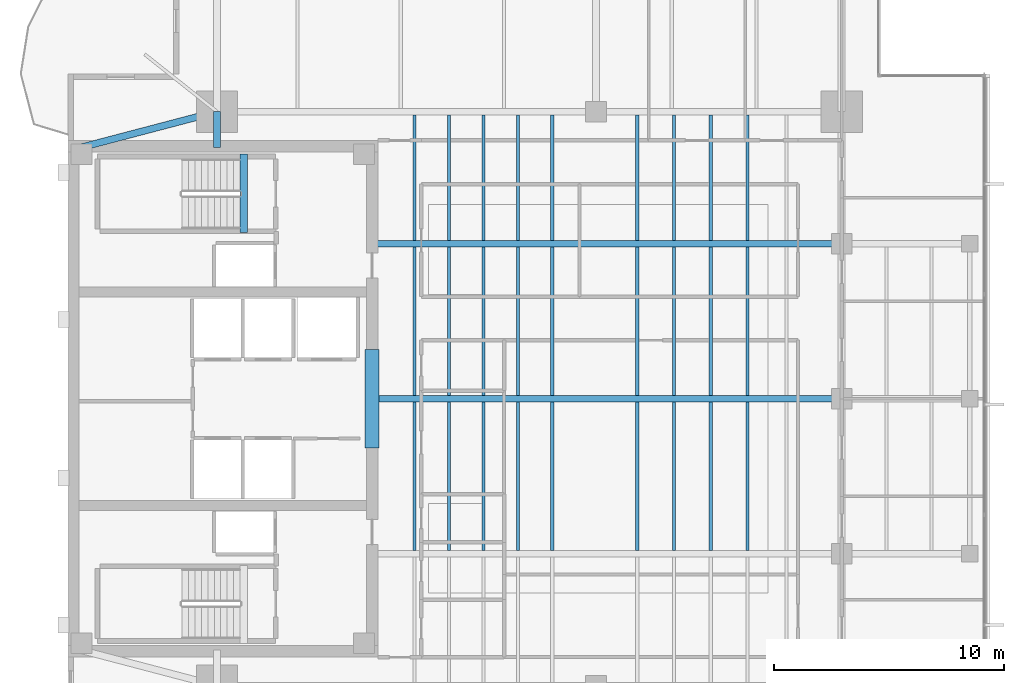
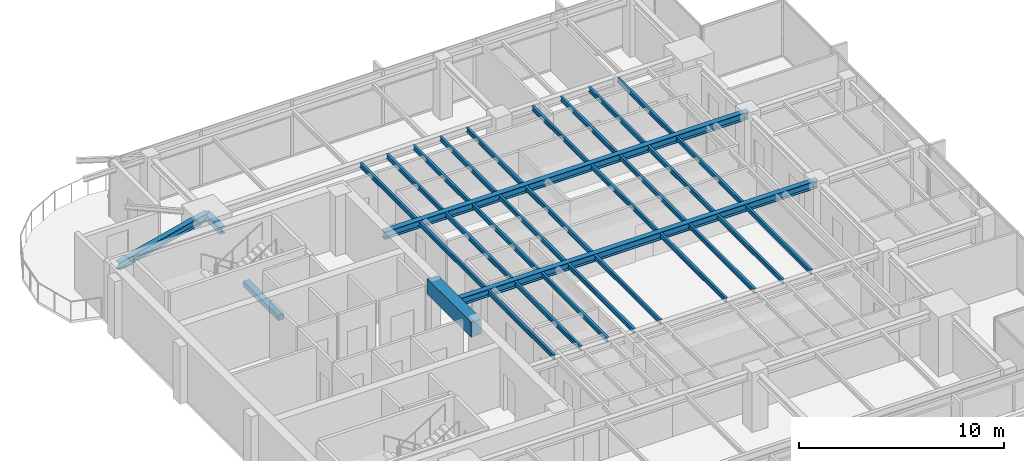
# One storey, part 3 of 14: 33 beams.
"""IFC4 building model written with IfcOpenShell, lengths in metres."""

from ifc_helpers import new_model, si_unit, direction, frame, origin, origin_2d, place, context, subcontext, project, spatial, rectangle, i_section, extrude, material, material_profile, profile_set, type_object, element, save


model = new_model("IFC4")

# Units and contexts
model_context = context("Model", 3, precision=1e-05, world=origin(), true_north=direction((0.0, 1.0)))
body_context = subcontext(model_context, "Body", "Model", "MODEL_VIEW")
ifc_project = project(units=[si_unit("LENGTHUNIT", "METRE"), si_unit("AREAUNIT", "SQUARE_METRE"), si_unit("VOLUMEUNIT", "CUBIC_METRE"), si_unit("PLANEANGLEUNIT", "RADIAN"), si_unit("MASSUNIT", "GRAM", prefix="KILO")], contexts=[model_context])

# Site, building, storey
site_placement = place(None, origin())
site = spatial("IfcSite", under=ifc_project, at=site_placement, CompositionType="ELEMENT")
building_placement = place(site_placement, origin())
building = spatial("IfcBuilding", under=site, at=building_placement, Name="Kinhvarn Gate Tower", CompositionType="ELEMENT")
storey_placement = place(building_placement, frame((0.0, 0.0, 281.199951171875)))
storey = spatial("IfcBuildingStorey", under=building, at=storey_placement, Name="L75", CompositionType="ELEMENT", Elevation=281.199951171875)

# Beams
ifc_material_1 = material(Name="Concrete C60/75", Category="concrete")
ifc_material_profile_1 = material_profile(ifc_material_1, rectangle(XDim=0.60009765625, YDim=0.89990234375, at=origin_2d()), Name="RC 600x900")
ifc_profile_set_1 = profile_set([ifc_material_profile_1], Name="Concrete C60/75")
beam_type_1 = type_object("IfcBeamType", Name="BM-CB-900", PredefinedType="LINTEL", material=ifc_profile_set_1)
beam_1_placement = place(storey_placement, frame((17.75, 23.10009765625, 2.93994140625), z_axis=(0.0, 1.0, 0.0), x_axis=(-1.0, 0.0, 0.0)))
element("IfcBeam", 1, at=beam_1_placement, inside=storey, type_object=beam_type_1, Name="Core East Portal Coupling Beam L75", PredefinedType="LINTEL", context=body_context, shape_type="SweptSolid", body=[
    extrude(rectangle(XDim=0.60009765625, YDim=0.89990234375, at=origin_2d()), origin(), (0.0, 0.0, 1.0), 4.2998046875),
])
ifc_material_2 = material(Name="Concrete C50/60", Category="concrete")
ifc_material_profile_2 = material_profile(ifc_material_2, rectangle(XDim=0.340087890625, YDim=0.320068359375, at=origin_2d()), Name="RC 340x320")
ifc_profile_set_2 = profile_set([ifc_material_profile_2], Name="Concrete C50/60")
beam_type_2 = type_object("IfcBeamType", Name="BM-LND-500", PredefinedType="BEAM", material=ifc_profile_set_2)
beam_2_placement = place(storey_placement, frame((12.1650390625, 32.5, -0.159912109375), z_axis=(0.0, 1.0, 0.0), x_axis=(-1.0, 0.0, 0.0)))
element("IfcBeam", 2, at=beam_2_placement, inside=storey, type_object=beam_type_2, Name="Stair ST2 Landing Nosing Beam (L75)", PredefinedType="BEAM", context=body_context, shape_type="SweptSolid", body=[
    extrude(rectangle(XDim=0.340087890625, YDim=0.320068359375, at=origin_2d()), origin(), (0.0, 0.0, 1.0), 3.39990234375),
])
ifc_material_3 = material(Name="Steel S355", Category="steel")
ifc_material_profile_3 = material_profile(ifc_material_3, i_section(OverallWidth=0.300048828125, OverallDepth=0.39990234375, WebThickness=0.013427734375, FlangeThickness=0.02392578125, at=origin_2d()), Name="HEB 400")
ifc_profile_set_3 = profile_set([ifc_material_profile_3], Name="Steel S355")
beam_type_3 = type_object("IfcBeamType", Name="STL-HEB400", PredefinedType="BEAM", material=ifc_profile_set_3)
beam_3_placement = place(storey_placement, frame((11.0, 36.199951171875, 3.18994140625), z_axis=(0.0, 1.0, 0.0), x_axis=(-1.0, 0.0, 0.0)))
element("IfcBeam", 3, at=beam_3_placement, inside=storey, type_object=beam_type_3, Name="Floor Beam PG-12 (L75 MCW-CN)", PredefinedType="BEAM", context=body_context, shape_type="SweptSolid", body=[
    extrude(i_section(OverallWidth=0.300048828125, OverallDepth=0.39990234375, WebThickness=0.013427734375, FlangeThickness=0.02392578125, at=origin_2d()), origin(), (0.0, 0.0, 1.0), 1.550048828125),
])
ifc_material_profile_4 = material_profile(ifc_material_3, i_section(OverallWidth=0.300048828125, OverallDepth=0.449951171875, WebThickness=0.013916015625, FlangeThickness=0.02587890625, at=origin_2d()), Name="HEB 450")
ifc_profile_set_4 = profile_set([ifc_material_profile_4], Name="Steel S355")
beam_type_4 = type_object("IfcBeamType", Name="STL-HEB450", PredefinedType="BEAM", material=ifc_profile_set_4)
beam_4_placement = place(storey_placement, frame((5.10009765625, 36.199951171875, 3.1650390625), z_axis=(0.967177623957, 0.254101246979, 0.0), x_axis=(-0.254101246979, 0.967177623957, 0.0)))
element("IfcBeam", 4, at=beam_4_placement, inside=storey, type_object=beam_type_4, Name="Floor Beam PG-13 (L75 MG-NW-DIAG)", PredefinedType="BEAM", context=body_context, shape_type="SweptSolid", body=[
    extrude(i_section(OverallWidth=0.300048828125, OverallDepth=0.449951171875, WebThickness=0.013916015625, FlangeThickness=0.02587890625, at=origin_2d()), origin(), (0.0, 0.0, 1.0), 6.10009765625),
])
beam_5_placement = place(storey_placement, frame((18.050048828125, 25.25, 3.1650390625), z_axis=(1.0, 0.0, 0.0), x_axis=(0.0, 1.0, 0.0)))
element("IfcBeam", 5, at=beam_5_placement, inside=storey, type_object=beam_type_4, Name="Floor Beam PG-13 (L75 EW1-Y25)", PredefinedType="BEAM", context=body_context, shape_type="SweptSolid", body=[
    extrude(i_section(OverallWidth=0.300048828125, OverallDepth=0.449951171875, WebThickness=0.013916015625, FlangeThickness=0.02587890625, at=origin_2d()), origin(), (0.0, 0.0, 1.0), 20.14990234375),
])
beam_6_placement = place(storey_placement, frame((17.64990234375, 32.0, 3.1650390625), z_axis=(1.0, 0.0, 0.0), x_axis=(0.0, 1.0, 0.0)))
element("IfcBeam", 6, at=beam_6_placement, inside=storey, type_object=beam_type_4, Name="Floor Beam PG-13 (L75 EW1-Y32)", PredefinedType="BEAM", context=body_context, shape_type="SweptSolid", body=[
    extrude(i_section(OverallWidth=0.300048828125, OverallDepth=0.449951171875, WebThickness=0.013916015625, FlangeThickness=0.02587890625, at=origin_2d()), origin(), (0.0, 0.0, 1.0), 20.550048828125),
])
ifc_material_profile_5 = material_profile(ifc_material_3, i_section(OverallWidth=0.135009765625, OverallDepth=0.27001953125, WebThickness=0.006591796875, FlangeThickness=0.01025390625, at=origin_2d()), Name="IPE 270")
ifc_profile_set_5 = profile_set([ifc_material_profile_5], Name="Steel S355")
beam_type_5 = type_object("IfcBeamType", Name="STL-IPE270", PredefinedType="JOIST", material=ifc_profile_set_5)
for number, where, z_axis, x_axis, name in (
    (7, (19.60009765625, 18.64990234375, 3.255126953125), (0.0, 1.0, 0.0), (-1.0, 0.0, 0.0), "Floor Joist SB-01 (L75 JC-X196-1)"),
    (8, (19.60009765625, 25.39990234375, 3.255126953125), (0.0, 1.0, 0.0), (-1.0, 0.0, 0.0), "Floor Joist SB-01 (L75 JC-X196-2)"),
):
    element("IfcBeam", number, at=place(storey_placement, frame(where, z_axis=z_axis, x_axis=x_axis)), inside=storey, type_object=beam_type_5, Name=name, PredefinedType="JOIST", context=body_context, shape_type="SweptSolid", body=[
        extrude(i_section(OverallWidth=0.135009765625, OverallDepth=0.27001953125, WebThickness=0.006591796875, FlangeThickness=0.01025390625, at=origin_2d()), origin(), (0.0, 0.0, 1.0), 6.4501953125),
    ])
beam_7_placement = place(storey_placement, frame((19.60009765625, 32.14990234375, 3.255126953125), z_axis=(0.0, 1.0, 0.0), x_axis=(-1.0, 0.0, 0.0)))
element("IfcBeam", 9, at=beam_7_placement, inside=storey, type_object=beam_type_5, Name="Floor Joist SB-01 (L75 JC-X196-3)", PredefinedType="JOIST", context=body_context, shape_type="SweptSolid", body=[
    extrude(i_section(OverallWidth=0.135009765625, OverallDepth=0.27001953125, WebThickness=0.006591796875, FlangeThickness=0.01025390625, at=origin_2d()), origin(), (0.0, 0.0, 1.0), 5.4501953125),
])
for number, where, z_axis, x_axis, name in (
    (10, (21.10009765625, 18.64990234375, 3.255126953125), (0.0, 1.0, 0.0), (-1.0, 0.0, 0.0), "Floor Joist SB-01 (L75 JC-X211-1)"),
    (11, (21.10009765625, 25.39990234375, 3.255126953125), (0.0, 1.0, 0.0), (-1.0, 0.0, 0.0), "Floor Joist SB-01 (L75 JC-X211-2)"),
):
    element("IfcBeam", number, at=place(storey_placement, frame(where, z_axis=z_axis, x_axis=x_axis)), inside=storey, type_object=beam_type_5, Name=name, PredefinedType="JOIST", context=body_context, shape_type="SweptSolid", body=[
        extrude(i_section(OverallWidth=0.135009765625, OverallDepth=0.27001953125, WebThickness=0.006591796875, FlangeThickness=0.01025390625, at=origin_2d()), origin(), (0.0, 0.0, 1.0), 6.4501953125),
    ])
beam_8_placement = place(storey_placement, frame((21.10009765625, 32.14990234375, 3.255126953125), z_axis=(0.0, 1.0, 0.0), x_axis=(-1.0, 0.0, 0.0)))
element("IfcBeam", 12, at=beam_8_placement, inside=storey, type_object=beam_type_5, Name="Floor Joist SB-01 (L75 JC-X211-3)", PredefinedType="JOIST", context=body_context, shape_type="SweptSolid", body=[
    extrude(i_section(OverallWidth=0.135009765625, OverallDepth=0.27001953125, WebThickness=0.006591796875, FlangeThickness=0.01025390625, at=origin_2d()), origin(), (0.0, 0.0, 1.0), 5.4501953125),
])
for number, where, z_axis, x_axis, name in (
    (13, (22.60009765625, 18.64990234375, 3.255126953125), (0.0, 1.0, 0.0), (-1.0, 0.0, 0.0), "Floor Joist SB-01 (L75 JC-X226-1)"),
    (14, (22.60009765625, 25.39990234375, 3.255126953125), (0.0, 1.0, 0.0), (-1.0, 0.0, 0.0), "Floor Joist SB-01 (L75 JC-X226-2)"),
):
    element("IfcBeam", number, at=place(storey_placement, frame(where, z_axis=z_axis, x_axis=x_axis)), inside=storey, type_object=beam_type_5, Name=name, PredefinedType="JOIST", context=body_context, shape_type="SweptSolid", body=[
        extrude(i_section(OverallWidth=0.135009765625, OverallDepth=0.27001953125, WebThickness=0.006591796875, FlangeThickness=0.01025390625, at=origin_2d()), origin(), (0.0, 0.0, 1.0), 6.4501953125),
    ])
beam_9_placement = place(storey_placement, frame((22.60009765625, 32.14990234375, 3.255126953125), z_axis=(0.0, 1.0, 0.0), x_axis=(-1.0, 0.0, 0.0)))
element("IfcBeam", 15, at=beam_9_placement, inside=storey, type_object=beam_type_5, Name="Floor Joist SB-01 (L75 JC-X226-3)", PredefinedType="JOIST", context=body_context, shape_type="SweptSolid", body=[
    extrude(i_section(OverallWidth=0.135009765625, OverallDepth=0.27001953125, WebThickness=0.006591796875, FlangeThickness=0.01025390625, at=origin_2d()), origin(), (0.0, 0.0, 1.0), 5.4501953125),
])
for number, where, z_axis, x_axis, name in (
    (16, (24.10009765625, 18.64990234375, 3.255126953125), (0.0, 1.0, 0.0), (-1.0, 0.0, 0.0), "Floor Joist SB-01 (L75 JC-X241-1)"),
    (17, (24.10009765625, 25.39990234375, 3.255126953125), (0.0, 1.0, 0.0), (-1.0, 0.0, 0.0), "Floor Joist SB-01 (L75 JC-X241-2)"),
):
    element("IfcBeam", number, at=place(storey_placement, frame(where, z_axis=z_axis, x_axis=x_axis)), inside=storey, type_object=beam_type_5, Name=name, PredefinedType="JOIST", context=body_context, shape_type="SweptSolid", body=[
        extrude(i_section(OverallWidth=0.135009765625, OverallDepth=0.27001953125, WebThickness=0.006591796875, FlangeThickness=0.01025390625, at=origin_2d()), origin(), (0.0, 0.0, 1.0), 6.4501953125),
    ])
beam_10_placement = place(storey_placement, frame((24.10009765625, 32.14990234375, 3.255126953125), z_axis=(0.0, 1.0, 0.0), x_axis=(-1.0, 0.0, 0.0)))
element("IfcBeam", 18, at=beam_10_placement, inside=storey, type_object=beam_type_5, Name="Floor Joist SB-01 (L75 JC-X241-3)", PredefinedType="JOIST", context=body_context, shape_type="SweptSolid", body=[
    extrude(i_section(OverallWidth=0.135009765625, OverallDepth=0.27001953125, WebThickness=0.006591796875, FlangeThickness=0.01025390625, at=origin_2d()), origin(), (0.0, 0.0, 1.0), 5.4501953125),
])
for number, where, z_axis, x_axis, name in (
    (19, (25.60009765625, 18.64990234375, 3.255126953125), (0.0, 1.0, 0.0), (-1.0, 0.0, 0.0), "Floor Joist SB-01 (L75 JC-X256-1)"),
    (20, (25.60009765625, 25.39990234375, 3.255126953125), (0.0, 1.0, 0.0), (-1.0, 0.0, 0.0), "Floor Joist SB-01 (L75 JC-X256-2)"),
):
    element("IfcBeam", number, at=place(storey_placement, frame(where, z_axis=z_axis, x_axis=x_axis)), inside=storey, type_object=beam_type_5, Name=name, PredefinedType="JOIST", context=body_context, shape_type="SweptSolid", body=[
        extrude(i_section(OverallWidth=0.135009765625, OverallDepth=0.27001953125, WebThickness=0.006591796875, FlangeThickness=0.01025390625, at=origin_2d()), origin(), (0.0, 0.0, 1.0), 6.4501953125),
    ])
beam_11_placement = place(storey_placement, frame((25.60009765625, 32.14990234375, 3.255126953125), z_axis=(0.0, 1.0, 0.0), x_axis=(-1.0, 0.0, 0.0)))
element("IfcBeam", 21, at=beam_11_placement, inside=storey, type_object=beam_type_5, Name="Floor Joist SB-01 (L75 JC-X256-3)", PredefinedType="JOIST", context=body_context, shape_type="SweptSolid", body=[
    extrude(i_section(OverallWidth=0.135009765625, OverallDepth=0.27001953125, WebThickness=0.006591796875, FlangeThickness=0.01025390625, at=origin_2d()), origin(), (0.0, 0.0, 1.0), 5.4501953125),
])
for number, where, z_axis, x_axis, name in (
    (22, (29.300048828125, 18.64990234375, 3.255126953125), (0.0, 1.0, 0.0), (-1.0, 0.0, 0.0), "Floor Joist SB-01 (L75 JC-X293-1)"),
    (23, (29.300048828125, 25.39990234375, 3.255126953125), (0.0, 1.0, 0.0), (-1.0, 0.0, 0.0), "Floor Joist SB-01 (L75 JC-X293-2)"),
):
    element("IfcBeam", number, at=place(storey_placement, frame(where, z_axis=z_axis, x_axis=x_axis)), inside=storey, type_object=beam_type_5, Name=name, PredefinedType="JOIST", context=body_context, shape_type="SweptSolid", body=[
        extrude(i_section(OverallWidth=0.135009765625, OverallDepth=0.27001953125, WebThickness=0.006591796875, FlangeThickness=0.01025390625, at=origin_2d()), origin(), (0.0, 0.0, 1.0), 6.4501953125),
    ])
beam_12_placement = place(storey_placement, frame((29.300048828125, 32.14990234375, 3.255126953125), z_axis=(0.0, 1.0, 0.0), x_axis=(-1.0, 0.0, 0.0)))
element("IfcBeam", 24, at=beam_12_placement, inside=storey, type_object=beam_type_5, Name="Floor Joist SB-01 (L75 JC-X293-3)", PredefinedType="JOIST", context=body_context, shape_type="SweptSolid", body=[
    extrude(i_section(OverallWidth=0.135009765625, OverallDepth=0.27001953125, WebThickness=0.006591796875, FlangeThickness=0.01025390625, at=origin_2d()), origin(), (0.0, 0.0, 1.0), 5.4501953125),
])
for number, where, z_axis, x_axis, name in (
    (25, (30.89990234375, 18.64990234375, 3.255126953125), (0.0, 1.0, 0.0), (-1.0, 0.0, 0.0), "Floor Joist SB-01 (L75 JC-X309-1)"),
    (26, (30.89990234375, 25.39990234375, 3.255126953125), (0.0, 1.0, 0.0), (-1.0, 0.0, 0.0), "Floor Joist SB-01 (L75 JC-X309-2)"),
):
    element("IfcBeam", number, at=place(storey_placement, frame(where, z_axis=z_axis, x_axis=x_axis)), inside=storey, type_object=beam_type_5, Name=name, PredefinedType="JOIST", context=body_context, shape_type="SweptSolid", body=[
        extrude(i_section(OverallWidth=0.135009765625, OverallDepth=0.27001953125, WebThickness=0.006591796875, FlangeThickness=0.01025390625, at=origin_2d()), origin(), (0.0, 0.0, 1.0), 6.4501953125),
    ])
beam_13_placement = place(storey_placement, frame((30.89990234375, 32.14990234375, 3.255126953125), z_axis=(0.0, 1.0, 0.0), x_axis=(-1.0, 0.0, 0.0)))
element("IfcBeam", 27, at=beam_13_placement, inside=storey, type_object=beam_type_5, Name="Floor Joist SB-01 (L75 JC-X309-3)", PredefinedType="JOIST", context=body_context, shape_type="SweptSolid", body=[
    extrude(i_section(OverallWidth=0.135009765625, OverallDepth=0.27001953125, WebThickness=0.006591796875, FlangeThickness=0.01025390625, at=origin_2d()), origin(), (0.0, 0.0, 1.0), 5.4501953125),
])
for number, where, z_axis, x_axis, name in (
    (28, (32.5, 18.64990234375, 3.255126953125), (0.0, 1.0, 0.0), (-1.0, 0.0, 0.0), "Floor Joist SB-01 (L75 JC-X325-1)"),
    (29, (32.5, 25.39990234375, 3.255126953125), (0.0, 1.0, 0.0), (-1.0, 0.0, 0.0), "Floor Joist SB-01 (L75 JC-X325-2)"),
):
    element("IfcBeam", number, at=place(storey_placement, frame(where, z_axis=z_axis, x_axis=x_axis)), inside=storey, type_object=beam_type_5, Name=name, PredefinedType="JOIST", context=body_context, shape_type="SweptSolid", body=[
        extrude(i_section(OverallWidth=0.135009765625, OverallDepth=0.27001953125, WebThickness=0.006591796875, FlangeThickness=0.01025390625, at=origin_2d()), origin(), (0.0, 0.0, 1.0), 6.4501953125),
    ])
beam_14_placement = place(storey_placement, frame((32.5, 32.14990234375, 3.255126953125), z_axis=(0.0, 1.0, 0.0), x_axis=(-1.0, 0.0, 0.0)))
element("IfcBeam", 30, at=beam_14_placement, inside=storey, type_object=beam_type_5, Name="Floor Joist SB-01 (L75 JC-X325-3)", PredefinedType="JOIST", context=body_context, shape_type="SweptSolid", body=[
    extrude(i_section(OverallWidth=0.135009765625, OverallDepth=0.27001953125, WebThickness=0.006591796875, FlangeThickness=0.01025390625, at=origin_2d()), origin(), (0.0, 0.0, 1.0), 5.4501953125),
])
for number, where, z_axis, x_axis, name in (
    (31, (34.10009765625, 18.64990234375, 3.255126953125), (0.0, 1.0, 0.0), (-1.0, 0.0, 0.0), "Floor Joist SB-01 (L75 JC-X341-1)"),
    (32, (34.10009765625, 25.39990234375, 3.255126953125), (0.0, 1.0, 0.0), (-1.0, 0.0, 0.0), "Floor Joist SB-01 (L75 JC-X341-2)"),
):
    element("IfcBeam", number, at=place(storey_placement, frame(where, z_axis=z_axis, x_axis=x_axis)), inside=storey, type_object=beam_type_5, Name=name, PredefinedType="JOIST", context=body_context, shape_type="SweptSolid", body=[
        extrude(i_section(OverallWidth=0.135009765625, OverallDepth=0.27001953125, WebThickness=0.006591796875, FlangeThickness=0.01025390625, at=origin_2d()), origin(), (0.0, 0.0, 1.0), 6.4501953125),
    ])
beam_15_placement = place(storey_placement, frame((34.10009765625, 32.14990234375, 3.255126953125), z_axis=(0.0, 1.0, 0.0), x_axis=(-1.0, 0.0, 0.0)))
element("IfcBeam", 33, at=beam_15_placement, inside=storey, type_object=beam_type_5, Name="Floor Joist SB-01 (L75 JC-X341-3)", PredefinedType="JOIST", context=body_context, shape_type="SweptSolid", body=[
    extrude(i_section(OverallWidth=0.135009765625, OverallDepth=0.27001953125, WebThickness=0.006591796875, FlangeThickness=0.01025390625, at=origin_2d()), origin(), (0.0, 0.0, 1.0), 5.4501953125),
])

save(model, "model.ifc")
